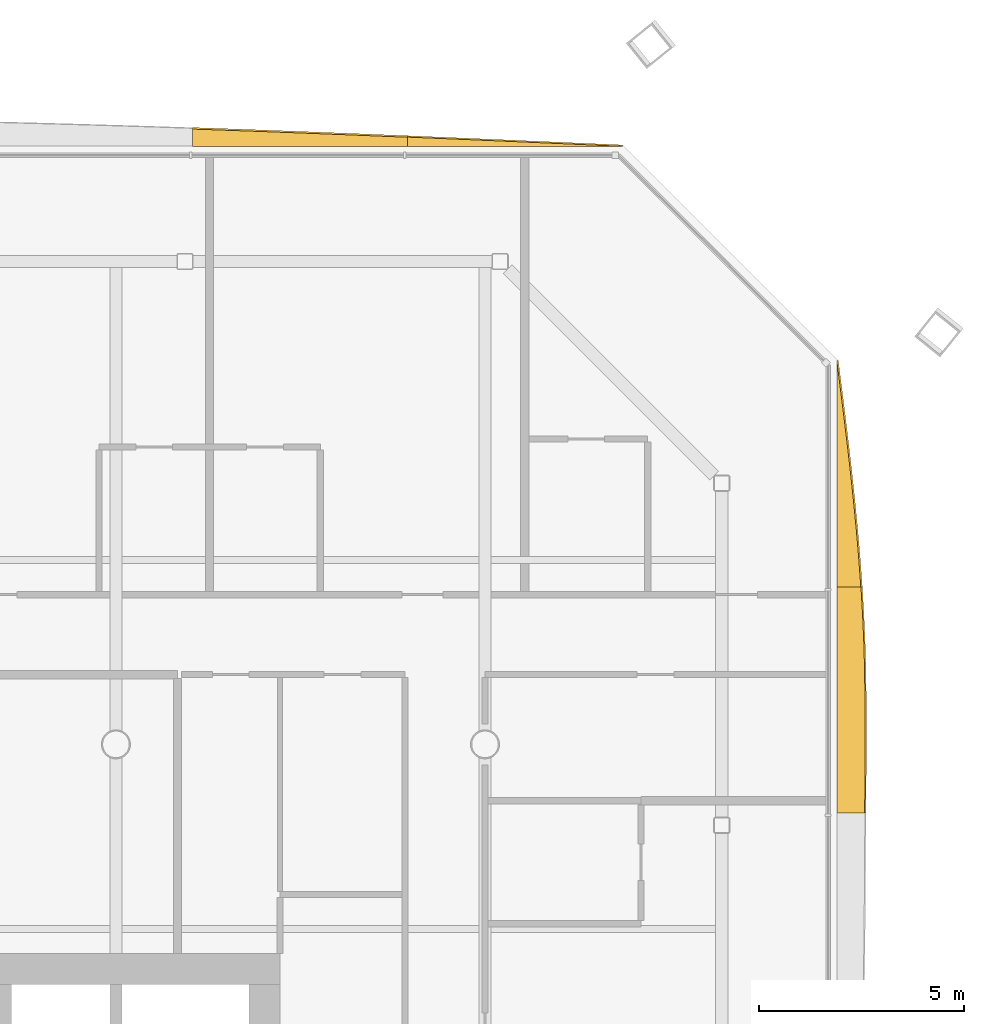
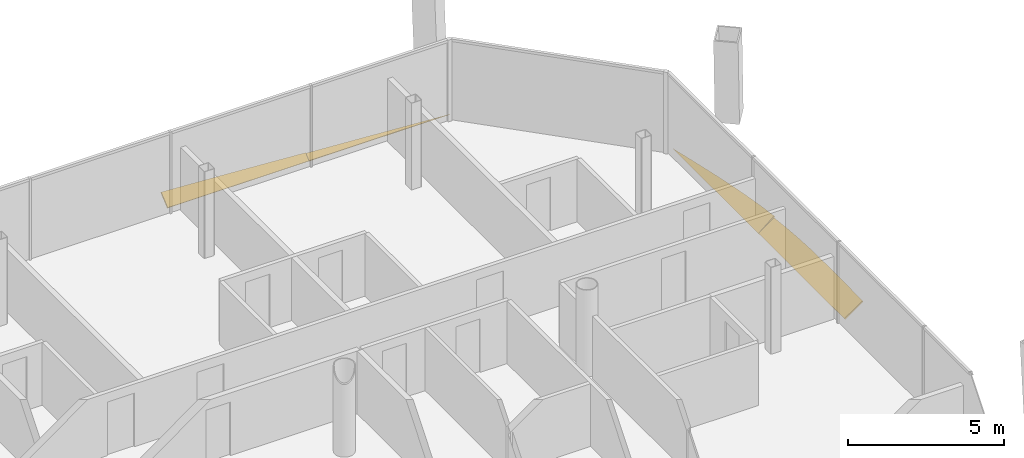
# One storey, part 21 of 21: 4 shading devices.
"""IFC4 building model written with IfcOpenShell, lengths in metres."""

import ifcopenshell
import ifcopenshell.guid

model = None  # the IFC model being written
_history = None  # IfcOwnerHistory: only IFC2X3 demands one
_inside = {}  # id of a spatial element -> (the spatial element, [elements in it])
_under = {}  # id of a project, library or spatial element -> (it, [spatial elements below it])
_declared = {}  # id of a project -> (the project, [libraries it declares])
_typed = {}  # id of a type object -> (the type object, [elements of that type])
_made_of = {}  # id of a material, layer set ... -> (it, [elements and type objects made of it])


def new_model(schema):
    """Start an empty IFC model of exactly this schema.

    Asked for "IFC4X3", IfcOpenShell would pick the latest addendum, in which some entities
    have other attributes; the version numbers below select the first issue.
    IFC2X3 requires an IfcOwnerHistory on every rooted entity: one is made here for all.
    """
    global model, _history
    if schema == "IFC4X3":
        model = ifcopenshell.file(schema_version=(4, 3, 0, 0))
    else:
        model = ifcopenshell.file(schema=schema)
    _inside.clear()
    _under.clear()
    _declared.clear()
    _typed.clear()
    _made_of.clear()
    _history = None
    if model.schema == "IFC2X3":
        org = make("IfcOrganization", Name="unknown")
        user = make(
            "IfcPersonAndOrganization",
            ThePerson=make("IfcPerson", FamilyName="unknown"),
            TheOrganization=org,
        )
        app = make(
            "IfcApplication",
            ApplicationDeveloper=org,
            Version="unknown",
            ApplicationFullName="unknown",
            ApplicationIdentifier="unknown",
        )
        _history = make(
            "IfcOwnerHistory",
            OwningUser=user,
            OwningApplication=app,
            ChangeAction="ADDED",
            CreationDate=0,
        )
    return model


def make(cls, **values):
    """One entity of the class cls with the attributes given. An attribute that is None is left unset."""
    return model.create_entity(
        cls, **{name: value for name, value in values.items() if value is not None}
    )


def rooted(cls, **values):
    """An entity with a GlobalId (a new one), such as an element, a storey or a relation."""
    return make(cls, GlobalId=ifcopenshell.guid.new(), OwnerHistory=_history, **values)


def si_unit(unit_type, name, prefix=None):
    """IfcSIUnit, for example si_unit("LENGTHUNIT", "METRE", prefix="MILLI")."""
    return make("IfcSIUnit", UnitType=unit_type, Prefix=prefix, Name=name)


def assignment(units):
    """IfcUnitAssignment: the units of a project."""
    return None if units is None else make("IfcUnitAssignment", Units=units)


def point(xyz):
    """IfcCartesianPoint."""
    return None if xyz is None else make("IfcCartesianPoint", Coordinates=xyz)


def direction(xyz):
    """IfcDirection."""
    return None if xyz is None else make("IfcDirection", DirectionRatios=xyz)


def frame(location, z_axis=None, x_axis=None):
    """IfcAxis2Placement3D, a coordinate frame: its origin and axes. An axis left out is left unset."""
    return make(
        "IfcAxis2Placement3D",
        Location=point(location),
        Axis=direction(z_axis),
        RefDirection=direction(x_axis),
    )


def origin():
    """The frame at (0, 0, 0) with its axes left unset."""
    return frame((0.0, 0.0, 0.0))


def place(relative_to, where):
    """IfcLocalPlacement: puts the frame where relative to a parent placement (None: the world)."""
    return make(
        "IfcLocalPlacement", PlacementRelTo=relative_to, RelativePlacement=where
    )


def context(
    kind, dimensions, precision=None, world=None, true_north=None, identifier=None
):
    """IfcGeometricRepresentationContext, for example the 3D "Model" context."""
    return make(
        "IfcGeometricRepresentationContext",
        ContextIdentifier=identifier,
        ContextType=kind,
        CoordinateSpaceDimension=dimensions,
        Precision=precision,
        WorldCoordinateSystem=world,
        TrueNorth=true_north,
    )


def subcontext(parent, identifier, kind, view, scale=None):
    """IfcGeometricRepresentationSubContext, for example "Body" below "Model"."""
    return make(
        "IfcGeometricRepresentationSubContext",
        ContextIdentifier=identifier,
        ContextType=kind,
        ParentContext=parent,
        TargetScale=scale,
        TargetView=view,
    )


def project(units=None, contexts=None):
    """IfcProject with its units and contexts."""
    return rooted(
        "IfcProject",
        Name="project",
        RepresentationContexts=contexts,
        UnitsInContext=assignment(units),
    )


def spatial(cls, under=None, at=None, **own):
    """A site, building, storey or space (cls), placed at a placement, below another one or the project."""
    s = rooted(cls, ObjectPlacement=at, **own)
    if under is not None:
        _under.setdefault(under.id(), (under, []))[1].append(s)
    return s


def polyline(points):
    """IfcPolyline through the points."""
    return make("IfcPolyline", Points=[point(p) for p in points])


def outline(outer, holes=None, kind="AREA"):
    """IfcArbitraryClosedProfileDef: a profile drawn as a closed curve; with holes, ...WithVoids."""
    if holes is None:
        return make("IfcArbitraryClosedProfileDef", ProfileType=kind, OuterCurve=outer)
    return make(
        "IfcArbitraryProfileDefWithVoids",
        ProfileType=kind,
        OuterCurve=outer,
        InnerCurves=holes,
    )


def extrude(swept, where, along, depth):
    """IfcExtrudedAreaSolid: the profile swept, set in the frame where, extruded along a direction by depth."""
    return make(
        "IfcExtrudedAreaSolid",
        SweptArea=swept,
        Position=where,
        ExtrudedDirection=direction(along),
        Depth=depth,
    )


def shape(context_of_items, identifier, shape_type, items):
    """IfcShapeRepresentation: the items that make up one representation, for example the "Body"."""
    return make(
        "IfcShapeRepresentation",
        ContextOfItems=context_of_items,
        RepresentationIdentifier=identifier,
        RepresentationType=shape_type,
        Items=items,
    )


def material(Name=None, Category=None):
    """IfcMaterial."""
    return make("IfcMaterial", Name=Name, Category=Category)


def layer(
    of_material, thickness, ventilated=None, Name=None, Category=None, Priority=None
):
    """IfcMaterialLayer: one layer of a wall or slab, of a material (None: an air gap)."""
    return make(
        "IfcMaterialLayer",
        Material=of_material,
        LayerThickness=thickness,
        IsVentilated=ventilated,
        Name=Name,
        Category=Category,
        Priority=Priority,
    )


def layer_set(layers, Name=None):
    """IfcMaterialLayerSet."""
    return make("IfcMaterialLayerSet", MaterialLayers=layers, LayerSetName=Name)


def made_of(thing, what):
    """Note that an element or type object is made of a material, layer set ...; save() writes the relation."""
    if what is not None:
        _made_of.setdefault(what.id(), (what, []))[1].append(thing)
    return thing


def type_object(cls, material=None, **own):
    """A type object (cls), such as IfcWallType, which elements share."""
    return made_of(rooted(cls, **own), material)


def element(
    cls,
    number,
    at=None,
    inside=None,
    cuts=None,
    type_object=None,
    material=None,
    context=None,
    identifier="Body",
    shape_type=None,
    held_by="IfcProductDefinitionShape",
    body=None,
    shapes=None,
    **own,
):
    """One element of the class cls, such as IfcWall. Its Tag is "e" and its number.

    at: its placement. inside: the storey or other place that contains it. cuts: it is an
    opening in that element (IfcRelVoidsElement). A single representation is given by context,
    identifier, shape_type and body (its items); several are given by shapes. held_by: the class
    of the entity that holds the representations. save() writes the other relations.
    """
    e = rooted(cls, Tag="e%d" % number, ObjectPlacement=at, **own)
    if body is not None:
        shapes = [shape(context, identifier, shape_type, body)]
    if shapes is not None:
        e.Representation = make(held_by, Representations=shapes)
    if inside is not None:
        _inside.setdefault(inside.id(), (inside, []))[1].append(e)
    if cuts is not None:
        rooted(
            "IfcRelVoidsElement", RelatingBuildingElement=cuts, RelatedOpeningElement=e
        )
    if type_object is not None:
        _typed.setdefault(type_object.id(), (type_object, []))[1].append(e)
    return made_of(e, material)


def aggregate(whole, parts):
    """IfcRelAggregates: a whole, such as a stair, and the parts it consists of."""
    return rooted("IfcRelAggregates", RelatingObject=whole, RelatedObjects=parts)


def save(model, path):
    """Write the relations noted so far, then the file.

    IfcRelAggregates (storeys below a building ...), IfcRelContainedInSpatialStructure (elements
    in a storey), IfcRelDefinesByType, IfcRelAssociatesMaterial and IfcRelDeclares: one each for
    every whole, place, type object, material and project.
    """
    for whole, parts in _under.values():
        aggregate(whole, parts)
    for where, things in _inside.values():
        rooted(
            "IfcRelContainedInSpatialStructure",
            RelatedElements=things,
            RelatingStructure=where,
        )
    for kind, things in _typed.values():
        rooted("IfcRelDefinesByType", RelatedObjects=things, RelatingType=kind)
    for what, things in _made_of.values():
        rooted("IfcRelAssociatesMaterial", RelatedObjects=things, RelatingMaterial=what)
    for by, libraries in _declared.values():
        rooted("IfcRelDeclares", RelatingContext=by, RelatedDefinitions=libraries)
    model.write(path)


model = new_model("IFC4")

# Units and contexts
model_context = context("Model", 3, precision=1e-05, world=origin(), true_north=direction((0.0, 1.0)))
body_context = subcontext(model_context, "Body", "Model", "MODEL_VIEW")
ifc_project = project(units=[si_unit("LENGTHUNIT", "METRE"), si_unit("AREAUNIT", "SQUARE_METRE"), si_unit("VOLUMEUNIT", "CUBIC_METRE"), si_unit("PLANEANGLEUNIT", "RADIAN"), si_unit("MASSUNIT", "GRAM", prefix="KILO")], contexts=[model_context])

# Site, building, storey
site_placement = place(None, origin())
site = spatial("IfcSite", under=ifc_project, at=site_placement, CompositionType="ELEMENT")
building_placement = place(site_placement, origin())
building = spatial("IfcBuilding", under=site, at=building_placement, Name="Tskaro Facet Tower", CompositionType="ELEMENT")
storey_placement = place(building_placement, frame((0.0, 0.0, 128.300048828125)))
storey = spatial("IfcBuildingStorey", under=building, at=storey_placement, Name="L30", CompositionType="ELEMENT", Elevation=128.300048828125)

# Shading devices
ifc_material = material(Name="Bronze anodised aluminium 6063-T6", Category="aluminium")
ifc_layer = layer(ifc_material, 0.06005859375, Name="Bronze anodised aluminium 6063-T6")
ifc_layer_set = layer_set([ifc_layer], Name="Bronze anodised aluminium 6063-T6")
shading_device_type = type_object("IfcShadingDeviceType", Name="Bronze sun blade (FN1)", PredefinedType="USERDEFINED", material=ifc_layer_set)
shading_device_1_placement = place(storey_placement, frame((26.58251953125, 7.32080078125, 0.049072265625), z_axis=(-0.573564694675, 4.19183e-06, 0.819160265763), x_axis=(2.404286e-06, 0.999999999991, -3.433781e-06)))
element("IfcShadingDevice", 1, at=shading_device_1_placement, inside=storey, type_object=shading_device_type, Name="Fin blade east 6", ObjectType="FIN", PredefinedType="USERDEFINED", context=body_context, shape_type="SweptSolid", body=[
    extrude(outline(polyline([(0.0, 0.0), (5.51806640620152, 2.3369920256154414e-21), (5.518066405904819, -0.7141478404439312), (4.828369140730794, -0.763249740771147), (4.138427734589885, -0.7998911656813545), (3.4487304692347727, -0.8233920736899587), (2.759033203117832, -0.8330124634561415), (2.6154785153677516, -0.833352484198439), (2.0693359374988916, -0.8330124634561415), (1.3793945308350097, -0.8315924206307288), (0.6896972655501508, -0.8291523155784237), (-4.059927935698766e-10, -0.8256321884430033), (0.0, 0.0)])), origin(), (0.0, 0.0, -1.0), 0.06005859375),
])
shading_device_2_placement = place(storey_placement, frame((26.578369140625, 12.8388671875, 0.0458984375), z_axis=(-0.642702593809, 3.2725857e-05, 0.766115771173), x_axis=(2.1032993e-05, 0.999999999465, -2.5071795e-05)))
element("IfcShadingDevice", 2, at=shading_device_2_placement, inside=storey, type_object=shading_device_type, Name="Fin blade east 7", ObjectType="FIN", PredefinedType="USERDEFINED", context=body_context, shape_type="SweptSolid", body=[
    extrude(outline(polyline([(0.0, 0.0), (5.518066403295125, 0.0), (4.828369139073193, -0.11437720772425165), (4.138671874646431, -0.22684762648359458), (3.4487304691851404, -0.3355044673131201), (2.7590332027481934, -0.4387848910442419), (2.0693359354919267, -0.5344381589157289), (1.3796386693884117, -0.6217763713349361), (0.6896972645939851, -0.6985487895406326), (-5.939559813408546e-09, -0.7636934339735804), (0.0, 0.0)])), origin(), (0.0, 0.0, -1.0), 0.06005859375),
])
shading_device_3_placement = place(storey_placement, frame((21.35693359375, 23.58251953125, 0.049072265625), z_axis=(-2.1798985e-05, -0.573563618168, 0.819161019238), x_axis=(-0.999999999762, 1.2503105e-05, -1.7856879e-05)))
element("IfcShadingDevice", 3, at=shading_device_3_placement, inside=storey, type_object=shading_device_type, Name="Fin blade north 1", ObjectType="FIN", PredefinedType="USERDEFINED", context=body_context, shape_type="SweptSolid", body=[
    extrude(outline(polyline([(0.0, 0.0), (5.24487304562883, 0.0), (5.24487304811314, -0.27471069182691193), (4.495605467447612, -0.23664922392739), (3.746337892448746, -0.19810770518410808), (2.9970703113448494, -0.15916620547430638), (2.2478027328551, -0.11954466443748474), (1.4985351543653511, -0.07992312340066311), (0.7492675771826756, -0.039961561700331556), (0.0, 0.0)])), origin(), (0.0, 0.0, -1.0), 0.06005859375),
])
shading_device_4_placement = place(storey_placement, frame((16.112060546875, 23.578369140625, 0.0458984375), z_axis=(-4.86936e-06, -0.642676261766, 0.766137861314), x_axis=(-0.999999999988, 3.129422e-06, -3.730601e-06)))
element("IfcShadingDevice", 4, at=shading_device_4_placement, inside=storey, type_object=shading_device_type, Name="Fin blade north 2", ObjectType="FIN", PredefinedType="USERDEFINED", context=body_context, shape_type="SweptSolid", body=[
    extrude(outline(polyline([(0.0, 0.0), (5.24487304681282, 0.0), (5.24487304721475, -0.554724941101794), (4.495605468409016, -0.5207466846419744), (3.7463378901903717, -0.4853926331400684), (2.9970703124120432, -0.44900673535659735), (2.247802734310013, -0.4114019459152618), (1.4985351565015266, -0.37310925895288294), (0.7492675782225657, -0.33394162909316116), (3.839216314622581e-10, -0.29374215295187445), (0.0, 0.0)])), origin(), (0.0, 0.0, -1.0), 0.06005859375),
])

save(model, "model.ifc")
